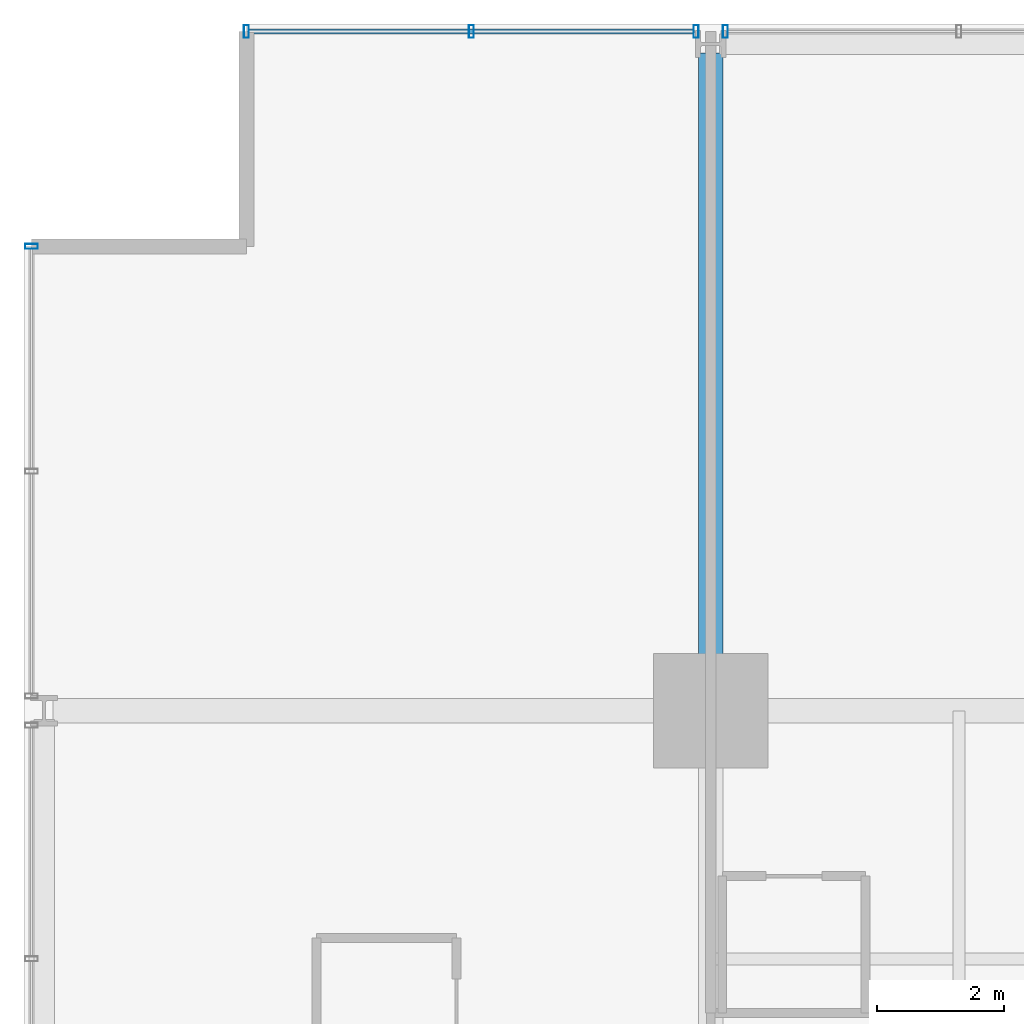
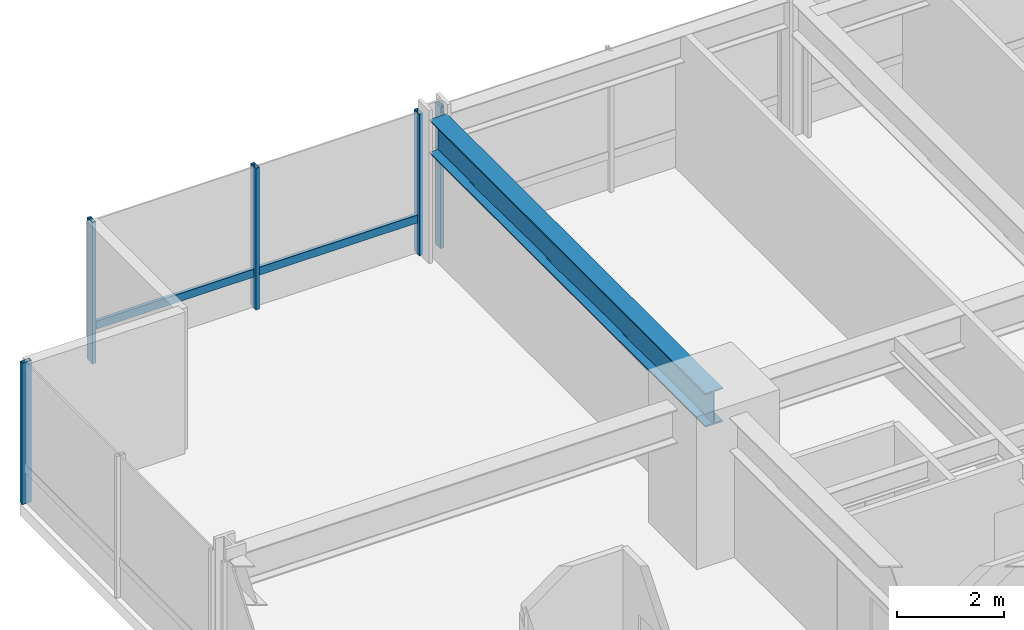
# One storey, part 21 of 38: 6 members, 1 beam, 3 elements without a shape of their own.
"""IFC4 building model written with IfcOpenShell, lengths in metres."""

from ifc_helpers import new_model, si_unit, direction, frame, origin, origin_2d, place, context, subcontext, project, spatial, hollow_rectangle, i_section, extrude, material, layer, layer_set, material_profile, profile_set, type_object, element, aggregate, save


model = new_model("IFC4")

# Units and contexts
model_context = context("Model", 3, precision=1e-05, world=origin(), true_north=direction((0.0, 1.0)))
body_context = subcontext(model_context, "Body", "Model", "MODEL_VIEW")
ifc_project = project(units=[si_unit("LENGTHUNIT", "METRE"), si_unit("AREAUNIT", "SQUARE_METRE"), si_unit("VOLUMEUNIT", "CUBIC_METRE"), si_unit("PLANEANGLEUNIT", "RADIAN"), si_unit("MASSUNIT", "GRAM", prefix="KILO")], contexts=[model_context])

# Site, building, storey
site_placement = place(None, origin())
site = spatial("IfcSite", under=ifc_project, at=site_placement, CompositionType="ELEMENT")
building_placement = place(site_placement, origin())
building = spatial("IfcBuilding", under=site, at=building_placement, Name="Drelvath Grand Hotel", CompositionType="ELEMENT")
storey_placement = place(building_placement, frame((0.0, 0.0, 68.199951171875)))
storey = spatial("IfcBuildingStorey", under=building, at=storey_placement, Name="L16", CompositionType="ELEMENT", Elevation=68.199951171875)

# Curtain wall, member
ifc_material_1 = material(Name="Warm Bronze Anodised Aluminium Frame", Category="aluminium")
ifc_layer = layer(ifc_material_1, 0.199951171875)
ifc_layer_set = layer_set([ifc_layer], Name="Warm Bronze Anodised Aluminium Frame")
curtain_wall_type = type_object("IfcCurtainWallType", Name="Stick Curtain Wall CW-02 Warm Bronze Low-Rise", PredefinedType="NOTDEFINED", material=ifc_layer_set)
curtain_wall_1_placement = place(storey_placement, origin())
curtain_wall_1 = element("IfcCurtainWall", 1, at=curtain_wall_1_placement, inside=storey, type_object=curtain_wall_type, Name="L16 CW-02 Curtain Wall CW02-L16-NW1", PredefinedType="NOTDEFINED")
ifc_material_profile_1 = material_profile(ifc_material_1, hollow_rectangle(XDim=0.074951171875, YDim=0.179931640625, WallThickness=0.0048828125, at=origin_2d()), Name="HSS180X75X5")
ifc_profile_set_1 = profile_set([ifc_material_profile_1], Name="Warm Bronze Anodised Aluminium Frame")
member_type_1 = type_object("IfcMemberType", Name="Curtain Wall Horizontal Transom CW-02 HSS180X75X5", PredefinedType="USERDEFINED", material=ifc_profile_set_1)
member_1_placement = place(storey_placement, frame((-23.4599609375, 53.8798828125, 0.81005859375), z_axis=(1.0, 0.0, 0.0), x_axis=(0.0, 1.0, 0.0)))
member_1 = element("IfcMember", 2, at=member_1_placement, type_object=member_type_1, Name="CW02-L16-NW1 Sill Transom", ObjectType="TRANSOM", PredefinedType="USERDEFINED", context=body_context, shape_type="SweptSolid", body=[
    extrude(hollow_rectangle(XDim=0.074951171875, YDim=0.179931640625, WallThickness=0.0048828125, at=origin_2d()), origin(), (0.0, 0.0, 1.0), 6.990966796875),
])

curtain_wall_2_placement = place(storey_placement, origin())
curtain_wall_2 = element("IfcCurtainWall", 3, at=curtain_wall_2_placement, inside=storey, type_object=curtain_wall_type, Name="L16 CW-02 Curtain Wall CW02-L16-WN3", PredefinedType="NOTDEFINED")
ifc_material_profile_2 = material_profile(ifc_material_1, hollow_rectangle(XDim=0.080078125, YDim=0.199951171875, WallThickness=0.0048828125, at=origin_2d()), Name="HSS200X80X5")
ifc_profile_set_2 = profile_set([ifc_material_profile_2], Name="Warm Bronze Anodised Aluminium Frame")
member_type_2 = type_object("IfcMemberType", Name="Curtain Wall Vertical Mullion CW-02 HSS200X80X5", PredefinedType="MULLION", material=ifc_profile_set_2)
member_2_placement = place(storey_placement, frame((-26.8798828125, 50.5, 0.0), z_axis=(0.0, 0.0, 1.0), x_axis=(0.0, 1.0, 0.0)))
member_2 = element("IfcMember", 4, at=member_2_placement, type_object=member_type_2, Name="CW02-L16-WN3 Mullion 3", PredefinedType="MULLION", context=body_context, shape_type="SweptSolid", body=[
    extrude(hollow_rectangle(XDim=0.080078125, YDim=0.199951171875, WallThickness=0.0048828125, at=origin_2d()), origin(), (0.0, 0.0, 1.0), 3.239990234375),
])
aggregate(curtain_wall_2, [member_2])

# Member
member_3_placement = place(storey_placement, frame((-23.5, 53.8798828125, 0.0), z_axis=(0.0, 0.0, 1.0), x_axis=(1.0, 0.0, 0.0)))
member_3 = element("IfcMember", 5, at=member_3_placement, type_object=member_type_2, Name="CW02-L16-NW1 Mullion 1", PredefinedType="MULLION", context=body_context, shape_type="SweptSolid", body=[
    extrude(hollow_rectangle(XDim=0.080078125, YDim=0.199951171875, WallThickness=0.0048828125, at=origin_2d()), origin(), (0.0, 0.0, 1.0), 3.239990234375),
])

member_4_placement = place(storey_placement, frame((-19.964599609375, 53.8798828125, 0.0), z_axis=(0.0, 0.0, 1.0), x_axis=(1.0, 0.0, 0.0)))
member_4 = element("IfcMember", 6, at=member_4_placement, type_object=member_type_2, Name="CW02-L16-NW1 Mullion 2", PredefinedType="MULLION", context=body_context, shape_type="SweptSolid", body=[
    extrude(hollow_rectangle(XDim=0.080078125, YDim=0.199951171875, WallThickness=0.0048828125, at=origin_2d()), origin(), (0.0, 0.0, 1.0), 3.239990234375),
])

member_5_placement = place(storey_placement, frame((-16.42919921875, 53.8798828125, 0.0), z_axis=(0.0, 0.0, 1.0), x_axis=(1.0, 0.0, 0.0)))
member_5 = element("IfcMember", 7, at=member_5_placement, type_object=member_type_2, Name="CW02-L16-NW1 Mullion 3", PredefinedType="MULLION", context=body_context, shape_type="SweptSolid", body=[
    extrude(hollow_rectangle(XDim=0.080078125, YDim=0.199951171875, WallThickness=0.0048828125, at=origin_2d()), origin(), (0.0, 0.0, 1.0), 3.239990234375),
])

aggregate(curtain_wall_1, [member_3, member_4, member_5, member_1])

# Curtain wall, member
curtain_wall_3_placement = place(storey_placement, origin())
curtain_wall_3 = element("IfcCurtainWall", 8, at=curtain_wall_3_placement, inside=storey, type_object=curtain_wall_type, Name="L16 CW-02 Curtain Wall CW02-L16-NW2", PredefinedType="NOTDEFINED")
member_6_placement = place(storey_placement, frame((-15.970947265625, 53.8798828125, 0.0), z_axis=(0.0, 0.0, 1.0), x_axis=(1.0, 0.0, 0.0)))
member_6 = element("IfcMember", 9, at=member_6_placement, type_object=member_type_2, Name="CW02-L16-NW2 Mullion 1", PredefinedType="MULLION", context=body_context, shape_type="SweptSolid", body=[
    extrude(hollow_rectangle(XDim=0.080078125, YDim=0.199951171875, WallThickness=0.0048828125, at=origin_2d()), origin(), (0.0, 0.0, 1.0), 3.239990234375),
])
aggregate(curtain_wall_3, [member_6])

# Beam
ifc_material_2 = material(Name="Steel ASTM A992 Gr 50", Category="steel")
ifc_material_profile_3 = material_profile(ifc_material_2, i_section(OverallWidth=0.380615234375, OverallDepth=0.773193359375, WebThickness=0.0166015625, FlangeThickness=0.027099609375, FilletRadius=0.02490234375, at=origin_2d()), Name="W30X173")
ifc_profile_set_3 = profile_set([ifc_material_profile_3], Name="Steel ASTM A992 Gr 50")
beam_type = type_object("IfcBeamType", Name="Primary Floor Girder W30X173", PredefinedType="BEAM", material=ifc_profile_set_3)
beam_placement = place(storey_placement, frame((-16.199951171875, 43.199951171875, 2.853515625), z_axis=(0.0, 1.0, 0.0), x_axis=(-1.0, 0.0, 0.0)))
element("IfcBeam", 10, at=beam_placement, inside=storey, type_object=beam_type, Name="L16 North Grid Girder 3", PredefinedType="BEAM", context=body_context, shape_type="SweptSolid", body=[
    extrude(i_section(OverallWidth=0.380615234375, OverallDepth=0.773193359375, WebThickness=0.0166015625, FlangeThickness=0.027099609375, FilletRadius=0.02490234375, at=origin_2d()), origin(), (0.0, 0.0, 1.0), 10.340087890625),
])

save(model, "model.ifc")
